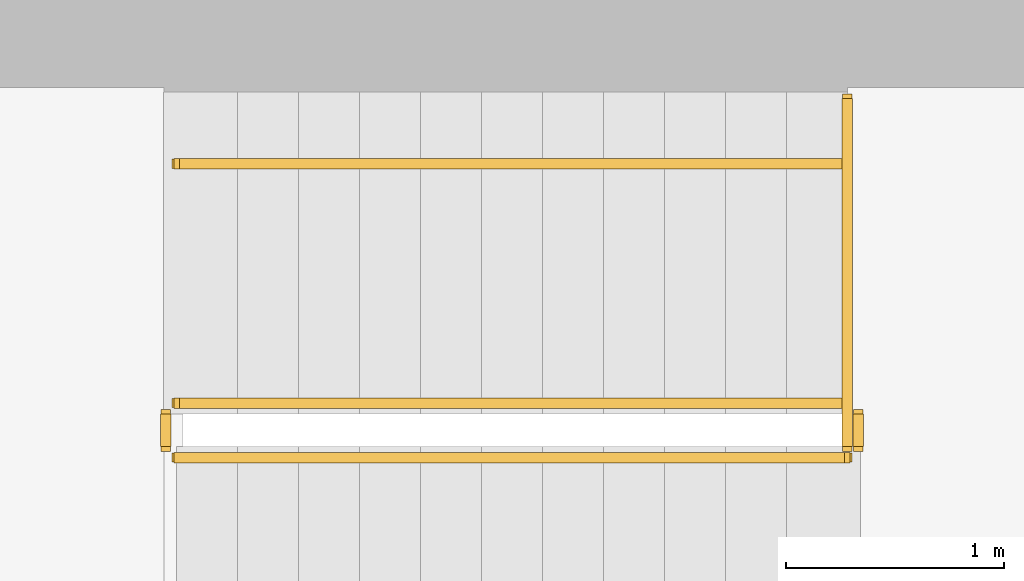
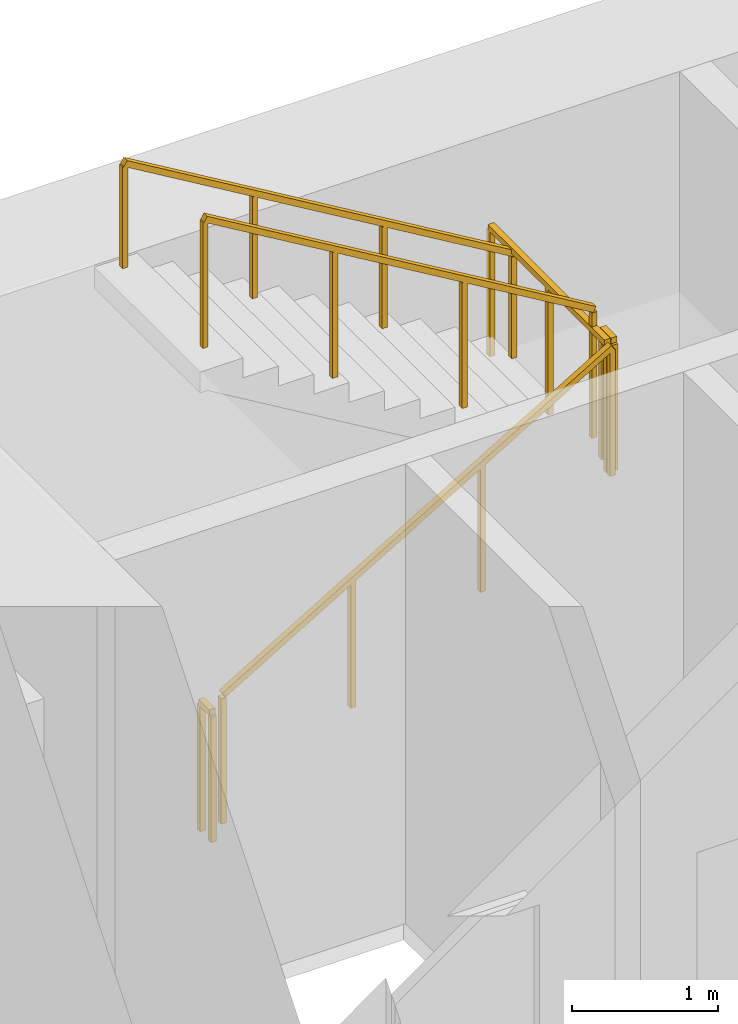
# One storey, part 15 of 16: 6 railings.
"""IFC4 building model written with IfcOpenShell, lengths in metres."""

import ifcopenshell
import ifcopenshell.guid

model = None  # the IFC model being written
_history = None  # IfcOwnerHistory: only IFC2X3 demands one
_inside = {}  # id of a spatial element -> (the spatial element, [elements in it])
_under = {}  # id of a project, library or spatial element -> (it, [spatial elements below it])
_declared = {}  # id of a project -> (the project, [libraries it declares])
_typed = {}  # id of a type object -> (the type object, [elements of that type])
_made_of = {}  # id of a material, layer set ... -> (it, [elements and type objects made of it])


def new_model(schema):
    """Start an empty IFC model of exactly this schema.

    Asked for "IFC4X3", IfcOpenShell would pick the latest addendum, in which some entities
    have other attributes; the version numbers below select the first issue.
    IFC2X3 requires an IfcOwnerHistory on every rooted entity: one is made here for all.
    """
    global model, _history
    if schema == "IFC4X3":
        model = ifcopenshell.file(schema_version=(4, 3, 0, 0))
    else:
        model = ifcopenshell.file(schema=schema)
    _inside.clear()
    _under.clear()
    _declared.clear()
    _typed.clear()
    _made_of.clear()
    _history = None
    if model.schema == "IFC2X3":
        org = make("IfcOrganization", Name="unknown")
        user = make(
            "IfcPersonAndOrganization",
            ThePerson=make("IfcPerson", FamilyName="unknown"),
            TheOrganization=org,
        )
        app = make(
            "IfcApplication",
            ApplicationDeveloper=org,
            Version="unknown",
            ApplicationFullName="unknown",
            ApplicationIdentifier="unknown",
        )
        _history = make(
            "IfcOwnerHistory",
            OwningUser=user,
            OwningApplication=app,
            ChangeAction="ADDED",
            CreationDate=0,
        )
    return model


def make(cls, **values):
    """One entity of the class cls with the attributes given. An attribute that is None is left unset."""
    return model.create_entity(
        cls, **{name: value for name, value in values.items() if value is not None}
    )


def rooted(cls, **values):
    """An entity with a GlobalId (a new one), such as an element, a storey or a relation."""
    return make(cls, GlobalId=ifcopenshell.guid.new(), OwnerHistory=_history, **values)


def si_unit(unit_type, name, prefix=None):
    """IfcSIUnit, for example si_unit("LENGTHUNIT", "METRE", prefix="MILLI")."""
    return make("IfcSIUnit", UnitType=unit_type, Prefix=prefix, Name=name)


def assignment(units):
    """IfcUnitAssignment: the units of a project."""
    return None if units is None else make("IfcUnitAssignment", Units=units)


def point(xyz):
    """IfcCartesianPoint."""
    return None if xyz is None else make("IfcCartesianPoint", Coordinates=xyz)


def direction(xyz):
    """IfcDirection."""
    return None if xyz is None else make("IfcDirection", DirectionRatios=xyz)


def frame(location, z_axis=None, x_axis=None):
    """IfcAxis2Placement3D, a coordinate frame: its origin and axes. An axis left out is left unset."""
    return make(
        "IfcAxis2Placement3D",
        Location=point(location),
        Axis=direction(z_axis),
        RefDirection=direction(x_axis),
    )


def frame_2d(location, x_axis=None):
    """IfcAxis2Placement2D, a coordinate frame in the plane: its origin and x axis."""
    return make(
        "IfcAxis2Placement2D", Location=point(location), RefDirection=direction(x_axis)
    )


def origin():
    """The frame at (0, 0, 0) with its axes left unset."""
    return frame((0.0, 0.0, 0.0))


def origin_2d():
    """The frame at (0, 0) in the plane with its x axis left unset."""
    return frame_2d((0.0, 0.0))


def place(relative_to, where):
    """IfcLocalPlacement: puts the frame where relative to a parent placement (None: the world)."""
    return make(
        "IfcLocalPlacement", PlacementRelTo=relative_to, RelativePlacement=where
    )


def context(
    kind, dimensions, precision=None, world=None, true_north=None, identifier=None
):
    """IfcGeometricRepresentationContext, for example the 3D "Model" context."""
    return make(
        "IfcGeometricRepresentationContext",
        ContextIdentifier=identifier,
        ContextType=kind,
        CoordinateSpaceDimension=dimensions,
        Precision=precision,
        WorldCoordinateSystem=world,
        TrueNorth=true_north,
    )


def subcontext(parent, identifier, kind, view, scale=None):
    """IfcGeometricRepresentationSubContext, for example "Body" below "Model"."""
    return make(
        "IfcGeometricRepresentationSubContext",
        ContextIdentifier=identifier,
        ContextType=kind,
        ParentContext=parent,
        TargetScale=scale,
        TargetView=view,
    )


def project(units=None, contexts=None):
    """IfcProject with its units and contexts."""
    return rooted(
        "IfcProject",
        Name="project",
        RepresentationContexts=contexts,
        UnitsInContext=assignment(units),
    )


def spatial(cls, under=None, at=None, **own):
    """A site, building, storey or space (cls), placed at a placement, below another one or the project."""
    s = rooted(cls, ObjectPlacement=at, **own)
    if under is not None:
        _under.setdefault(under.id(), (under, []))[1].append(s)
    return s


def profile(cls, at=None, kind="AREA", **sizes):
    """A parametric profile (cls). Its sizes go by their IFC names, for example OverallWidth=200.0."""
    return make(cls, ProfileType=kind, Position=at, **sizes)


def rectangle(**sizes):
    """IfcRectangleProfileDef."""
    return profile("IfcRectangleProfileDef", **sizes)


def extrude(swept, where, along, depth):
    """IfcExtrudedAreaSolid: the profile swept, set in the frame where, extruded along a direction by depth."""
    return make(
        "IfcExtrudedAreaSolid",
        SweptArea=swept,
        Position=where,
        ExtrudedDirection=direction(along),
        Depth=depth,
    )


def shape(context_of_items, identifier, shape_type, items):
    """IfcShapeRepresentation: the items that make up one representation, for example the "Body"."""
    return make(
        "IfcShapeRepresentation",
        ContextOfItems=context_of_items,
        RepresentationIdentifier=identifier,
        RepresentationType=shape_type,
        Items=items,
    )


def material(Name=None, Category=None):
    """IfcMaterial."""
    return make("IfcMaterial", Name=Name, Category=Category)


def made_of(thing, what):
    """Note that an element or type object is made of a material, layer set ...; save() writes the relation."""
    if what is not None:
        _made_of.setdefault(what.id(), (what, []))[1].append(thing)
    return thing


def type_object(cls, material=None, **own):
    """A type object (cls), such as IfcWallType, which elements share."""
    return made_of(rooted(cls, **own), material)


def element(
    cls,
    number,
    at=None,
    inside=None,
    cuts=None,
    type_object=None,
    material=None,
    context=None,
    identifier="Body",
    shape_type=None,
    held_by="IfcProductDefinitionShape",
    body=None,
    shapes=None,
    **own,
):
    """One element of the class cls, such as IfcWall. Its Tag is "e" and its number.

    at: its placement. inside: the storey or other place that contains it. cuts: it is an
    opening in that element (IfcRelVoidsElement). A single representation is given by context,
    identifier, shape_type and body (its items); several are given by shapes. held_by: the class
    of the entity that holds the representations. save() writes the other relations.
    """
    e = rooted(cls, Tag="e%d" % number, ObjectPlacement=at, **own)
    if body is not None:
        shapes = [shape(context, identifier, shape_type, body)]
    if shapes is not None:
        e.Representation = make(held_by, Representations=shapes)
    if inside is not None:
        _inside.setdefault(inside.id(), (inside, []))[1].append(e)
    if cuts is not None:
        rooted(
            "IfcRelVoidsElement", RelatingBuildingElement=cuts, RelatedOpeningElement=e
        )
    if type_object is not None:
        _typed.setdefault(type_object.id(), (type_object, []))[1].append(e)
    return made_of(e, material)


def aggregate(whole, parts):
    """IfcRelAggregates: a whole, such as a stair, and the parts it consists of."""
    return rooted("IfcRelAggregates", RelatingObject=whole, RelatedObjects=parts)


def save(model, path):
    """Write the relations noted so far, then the file.

    IfcRelAggregates (storeys below a building ...), IfcRelContainedInSpatialStructure (elements
    in a storey), IfcRelDefinesByType, IfcRelAssociatesMaterial and IfcRelDeclares: one each for
    every whole, place, type object, material and project.
    """
    for whole, parts in _under.values():
        aggregate(whole, parts)
    for where, things in _inside.values():
        rooted(
            "IfcRelContainedInSpatialStructure",
            RelatedElements=things,
            RelatingStructure=where,
        )
    for kind, things in _typed.values():
        rooted("IfcRelDefinesByType", RelatedObjects=things, RelatingType=kind)
    for what, things in _made_of.values():
        rooted("IfcRelAssociatesMaterial", RelatedObjects=things, RelatingMaterial=what)
    for by, libraries in _declared.values():
        rooted("IfcRelDeclares", RelatingContext=by, RelatedDefinitions=libraries)
    model.write(path)


model = new_model("IFC4")

# Units and contexts
model_context = context("Model", 3, precision=1e-05, world=origin(), true_north=direction((0.0, 1.0)))
body_context = subcontext(model_context, "Body", "Model", "MODEL_VIEW")
ifc_project = project(units=[si_unit("LENGTHUNIT", "METRE"), si_unit("AREAUNIT", "SQUARE_METRE"), si_unit("VOLUMEUNIT", "CUBIC_METRE"), si_unit("PLANEANGLEUNIT", "RADIAN"), si_unit("MASSUNIT", "GRAM", prefix="KILO")], contexts=[model_context])

# Site, building, storey
site_placement = place(None, origin())
site = spatial("IfcSite", under=ifc_project, at=site_placement, CompositionType="ELEMENT")
building_placement = place(site_placement, origin())
building = spatial("IfcBuilding", under=site, at=building_placement, Name="Sennacour Bend Tower", CompositionType="ELEMENT")
storey_placement = place(building_placement, frame((0.0, 0.0, 171.0)))
storey = spatial("IfcBuildingStorey", under=building, at=storey_placement, Name="L39", CompositionType="ELEMENT", Elevation=171.0)

# Railings
ifc_material = material(Name="Stainless steel", Category="steel")
railing_type_1 = type_object("IfcRailingType", Name="RL-GUARD-1100", PredefinedType="GUARDRAIL", material=ifc_material)
railing_1_placement = place(storey_placement, frame((56.699951171875, 19.85009765625, 0.166748046875)))
element("IfcRailing", 1, at=railing_1_placement, inside=storey, type_object=railing_type_1, Name="L39 SA2 stair guard 1", PredefinedType="GUARDRAIL", context=body_context, shape_type="SweptSolid", body=[
    extrude(rectangle(XDim=0.048095703125, YDim=0.048095703125, at=origin_2d()), frame((0.0, 0.0, 1.076171875), z_axis=(0.859308565015, 0.0, 0.511457515432), x_axis=(0.0, 1.0, 0.0)), (0.0, 0.0, 1.0), 3.58447265625),
    extrude(rectangle(XDim=0.0419921875, YDim=0.0419921875, at=origin_2d()), origin(), (0.0, 0.0, 1.0), 1.052001953125),
    extrude(rectangle(XDim=0.0419921875, YDim=0.0419921875, at=origin_2d()), frame((1.026611328125, 0.0, 0.611083984375)), (0.0, 0.0, 1.0), 1.052001953125),
    extrude(rectangle(XDim=0.0419921875, YDim=0.0419921875, at=origin_2d()), frame((2.053466796875, 0.0, 1.22216796875)), (0.0, 0.0, 1.0), 1.052001953125),
    extrude(rectangle(XDim=0.0419921875, YDim=0.0419921875, at=origin_2d()), frame((3.080078125, 0.0, 1.833251953125)), (0.0, 0.0, 1.0), 1.052001953125),
])
railing_2_placement = place(storey_placement, frame((59.830078125, 19.89990234375, 2.0)))
element("IfcRailing", 2, at=railing_2_placement, inside=storey, type_object=railing_type_1, Name="L39 SA2 stair guard 2", PredefinedType="GUARDRAIL", context=body_context, shape_type="SweptSolid", body=[
    extrude(rectangle(XDim=0.048095703125, YDim=0.048095703125, at=origin_2d()), frame((0.0, 0.0, 1.076171875), z_axis=(0.0, 1.0, 0.0), x_axis=(-1.0, 0.0, 0.0)), (0.0, 0.0, 1.0), 0.150146484375),
    extrude(rectangle(XDim=0.0419921875, YDim=0.0419921875, at=origin_2d()), origin(), (0.0, 0.0, 1.0), 1.052001953125),
    extrude(rectangle(XDim=0.0419921875, YDim=0.0419921875, at=origin_2d()), frame((0.0, 0.150146484375, 0.0)), (0.0, 0.0, 1.0), 1.052001953125),
])
railing_3_placement = place(storey_placement, frame((59.780029296875, 20.10009765625, 2.166748046875)))
element("IfcRailing", 3, at=railing_3_placement, inside=storey, type_object=railing_type_1, Name="L39 SA2 stair guard 4", PredefinedType="GUARDRAIL", context=body_context, shape_type="SweptSolid", body=[
    extrude(rectangle(XDim=0.048095703125, YDim=0.048095703125, at=origin_2d()), frame((0.0, 0.0, 1.076171875), z_axis=(-0.859308565015, 0.0, 0.511457515432), x_axis=(0.0, -1.0, 0.0)), (0.0, 0.0, 1.0), 3.58447265625),
    extrude(rectangle(XDim=0.0419921875, YDim=0.0419921875, at=origin_2d()), origin(), (0.0, 0.0, 1.0), 1.052001953125),
    extrude(rectangle(XDim=0.0419921875, YDim=0.0419921875, at=origin_2d()), frame((-1.026611328125, 0.0, 0.611083984375)), (0.0, 0.0, 1.0), 1.052001953125),
    extrude(rectangle(XDim=0.0419921875, YDim=0.0419921875, at=origin_2d()), frame((-2.053466796875, 0.0, 1.22216796875)), (0.0, 0.0, 1.0), 1.052001953125),
    extrude(rectangle(XDim=0.0419921875, YDim=0.0419921875, at=origin_2d()), frame((-3.080078125, 0.0, 1.833251953125)), (0.0, 0.0, 1.0), 1.052001953125),
])
railing_4_placement = place(storey_placement, frame((56.64990234375, 19.89990234375, 0.0)))
element("IfcRailing", 4, at=railing_4_placement, inside=storey, type_object=railing_type_1, Name="L39 SA2 stair guard 5", PredefinedType="GUARDRAIL", context=body_context, shape_type="SweptSolid", body=[
    extrude(rectangle(XDim=0.048095703125, YDim=0.048095703125, at=origin_2d()), frame((0.0, 0.0, 1.076171875), z_axis=(0.0, 1.0, 0.0), x_axis=(-1.0, 0.0, 0.0)), (0.0, 0.0, 1.0), 0.150146484375),
    extrude(rectangle(XDim=0.0419921875, YDim=0.0419921875, at=origin_2d()), origin(), (0.0, 0.0, 1.0), 1.052001953125),
    extrude(rectangle(XDim=0.0419921875, YDim=0.0419921875, at=origin_2d()), frame((0.0, 0.150146484375, 0.0)), (0.0, 0.0, 1.0), 1.052001953125),
])
railing_5_placement = place(storey_placement, frame((59.780029296875, 19.89990234375, 2.0)))
element("IfcRailing", 5, at=railing_5_placement, inside=storey, type_object=railing_type_1, Name="L39 SA2 landing edge guard 54", PredefinedType="GUARDRAIL", context=body_context, shape_type="SweptSolid", body=[
    extrude(rectangle(XDim=0.048095703125, YDim=0.048095703125, at=origin_2d()), frame((0.0, 0.0, 1.076171875), z_axis=(0.0, 1.0, 0.0), x_axis=(-1.0, 0.0, 0.0)), (0.0, 0.0, 1.0), 1.60009765625),
    extrude(rectangle(XDim=0.0419921875, YDim=0.0419921875, at=origin_2d()), origin(), (0.0, 0.0, 1.0), 1.052001953125),
    extrude(rectangle(XDim=0.0419921875, YDim=0.0419921875, at=origin_2d()), frame((0.0, 0.800048828125, 0.0)), (0.0, 0.0, 1.0), 1.052001953125),
    extrude(rectangle(XDim=0.0419921875, YDim=0.0419921875, at=origin_2d()), frame((0.0, 1.60009765625, 0.0)), (0.0, 0.0, 1.0), 1.052001953125),
])
railing_type_2 = type_object("IfcRailingType", Name="RL-HANDRAIL-900", PredefinedType="HANDRAIL", material=ifc_material)
railing_6_placement = place(storey_placement, frame((59.780029296875, 21.199951171875, 2.166748046875)))
element("IfcRailing", 6, at=railing_6_placement, inside=storey, type_object=railing_type_2, Name="L39 SA2 stair handrail 2", PredefinedType="HANDRAIL", context=body_context, shape_type="SweptSolid", body=[
    extrude(rectangle(XDim=0.048095703125, YDim=0.048095703125, at=origin_2d()), frame((0.0, 0.0, 0.8759765625), z_axis=(-0.859308565015, 0.0, 0.511457515432), x_axis=(0.0, -1.0, 0.0)), (0.0, 0.0, 1.0), 3.58447265625),
    extrude(rectangle(XDim=0.0419921875, YDim=0.0419921875, at=origin_2d()), origin(), (0.0, 0.0, 1.0), 0.851806640625),
    extrude(rectangle(XDim=0.0419921875, YDim=0.0419921875, at=origin_2d()), frame((-1.026611328125, 0.0, 0.611083984375)), (0.0, 0.0, 1.0), 0.851806640625),
    extrude(rectangle(XDim=0.0419921875, YDim=0.0419921875, at=origin_2d()), frame((-2.053466796875, 0.0, 1.22216796875)), (0.0, 0.0, 1.0), 0.851806640625),
    extrude(rectangle(XDim=0.0419921875, YDim=0.0419921875, at=origin_2d()), frame((-3.080078125, 0.0, 1.833251953125)), (0.0, 0.0, 1.0), 0.851806640625),
])

save(model, "model.ifc")
